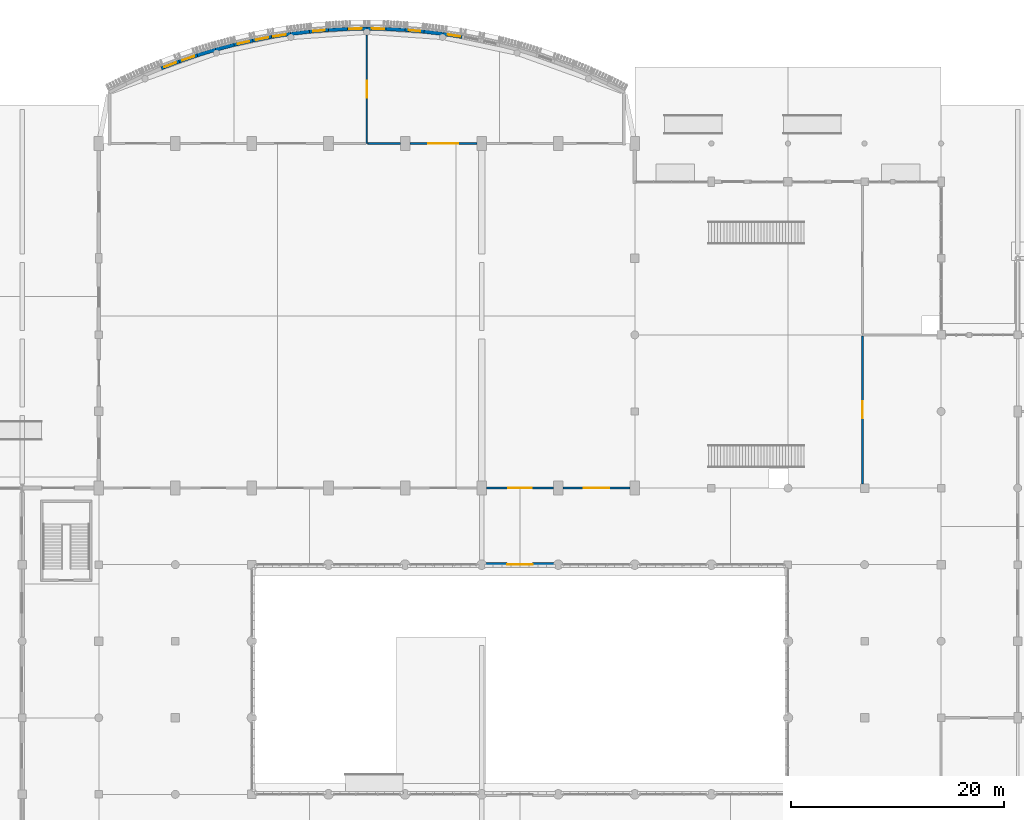
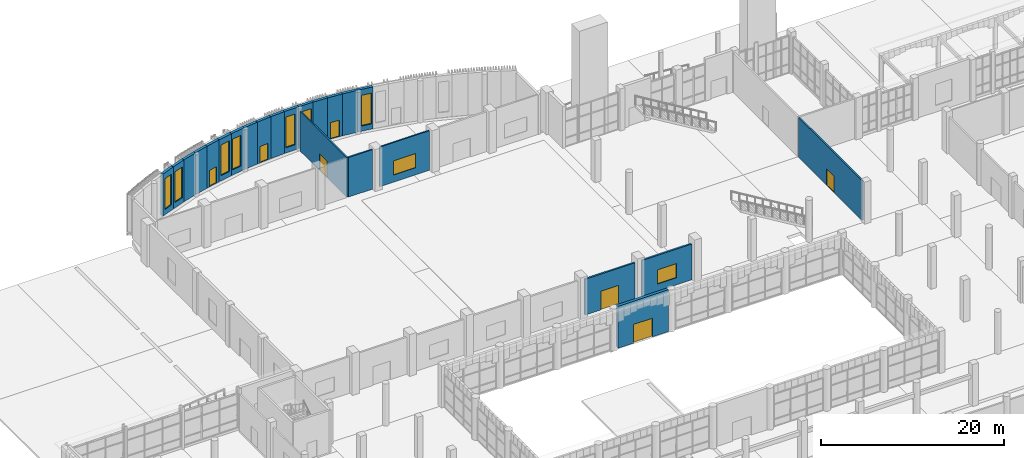
# One storey, part 61 of 85: 23 walls, 9 windows, 7 doors, 16 openings.
"""IFC4 building model written with IfcOpenShell, lengths in metres."""

from ifc_helpers import new_model, si_unit, direction, frame, frame_2d, origin, place, context, subcontext, project, spatial, polyline, rectangle, outline, extrude, material, layer, layer_set, type_object, element, fill, save


model = new_model("IFC4")

# Units and contexts
model_context = context("Model", 3, precision=1e-05, world=origin(), true_north=direction((0.0, 1.0)))
body_context = subcontext(model_context, "Body", "Model", "MODEL_VIEW")
ifc_project = project(units=[si_unit("LENGTHUNIT", "METRE"), si_unit("AREAUNIT", "SQUARE_METRE"), si_unit("VOLUMEUNIT", "CUBIC_METRE"), si_unit("PLANEANGLEUNIT", "RADIAN"), si_unit("MASSUNIT", "GRAM", prefix="KILO")], contexts=[model_context])

# Site, building, storey
site_placement = place(None, origin())
site = spatial("IfcSite", under=ifc_project, at=site_placement, CompositionType="ELEMENT")
building_placement = place(site_placement, origin())
building = spatial("IfcBuilding", under=site, at=building_placement, Name="Sardonyx Promenade Sports Hall", CompositionType="ELEMENT")
storey_placement = place(building_placement, origin())
storey = spatial("IfcBuildingStorey", under=building, at=storey_placement, Name="L00", CompositionType="ELEMENT", Elevation=0.0)

# Wall, opening, window
ifc_material_1 = material(Name="Concrete C40/50", Category="concrete")
ifc_layer_1 = layer(ifc_material_1, 0.340087890625)
ifc_layer_set_1 = layer_set([ifc_layer_1], Name="Wall_Bow_Arc_340")
wall_type_1 = type_object("IfcWallType", Name="Wall_Bow_Arc_340", PredefinedType="SOLIDWALL", material=ifc_layer_set_1)
wall_1_placement = place(storey_placement, frame((34.674072265625, 111.475341796875, 0.0), z_axis=(0.0, 0.0, 1.0), x_axis=(0.934674543416, 0.35550456803, 0.0)))
wall_1 = element("IfcWall", 1, at=wall_1_placement, inside=storey, type_object=wall_type_1, Name="Bowed promenade wall EW07 L00 CH04", PredefinedType="SOLIDWALL", context=body_context, shape_type="SweptSolid", body=[
    extrude(outline(polyline([(0.002943, -0.17), (1.797057, -0.17), (1.802943, 0.17), (-0.002943, 0.17), (0.002943, -0.17)])), origin(), (0.0, 0.0, 1.0), 5.60009765625),
])
opening_1_placement = place(wall_1_placement, frame((0.31005859375, 0.0, 0.699951171875)))
opening_1 = element("IfcOpeningElement", 2, at=opening_1_placement, cuts=wall_1, Name="Opening W09", PredefinedType="OPENING", context=body_context, shape_type="SweptSolid", body=[
    extrude(rectangle(XDim=1.179931640625, YDim=4.10009765625, at=frame_2d((0.58984375, 2.050048828125))), frame((0.0, 0.18, 0.0), z_axis=(0.0, -1.0, 0.0), x_axis=(1.0, 0.0, 0.0)), (0.0, 0.0, 1.0), 0.36),
])
ifc_material_2 = material(Name="Double-glazed solar low-E aluminium window", Category="aluminium")
window_type_1 = type_object("IfcWindowType", Name="Win_Bow_Daylight", PartitioningType="SINGLE_PANEL", PredefinedType="WINDOW", material=ifc_material_2)
window_1_placement = place(opening_1_placement, origin())
window_1 = element("IfcWindow", 3, at=window_1_placement, inside=storey, type_object=window_type_1, Name="Harbour daylight bay window W09 L00 CH04", OverallHeight=4.10009765625, OverallWidth=1.179931640625, PartitioningType="SINGLE_PANEL", PredefinedType="WINDOW", context=body_context, shape_type="SweptSolid", body=[
    extrude(rectangle(XDim=1.179931640625, YDim=4.10009765625, at=frame_2d((0.58984375, 2.050048828125))), frame((0.0, 0.030029296875, 0.0), z_axis=(0.0, -1.0, 0.0), x_axis=(1.0, 0.0, 0.0)), (0.0, 0.0, 1.0), 0.06005859375),
])
fill(opening_1, window_1)

wall_2_placement = place(storey_placement, frame((36.3564453125, 112.115234375, 0.0), z_axis=(0.0, 0.0, 1.0), x_axis=(0.946421657721, 0.322933500578, 0.0)))
wall_2 = element("IfcWall", 4, at=wall_2_placement, inside=storey, type_object=wall_type_1, Name="Bowed promenade wall EW07 L00 CH05", PredefinedType="SOLIDWALL", context=body_context, shape_type="SweptSolid", body=[
    extrude(outline(polyline([(0.002943, -0.17), (1.797057, -0.17), (1.802942, 0.17), (-0.002943, 0.17), (0.002943, -0.17)])), origin(), (0.0, 0.0, 1.0), 5.60009765625),
])
opening_2_placement = place(wall_2_placement, frame((0.31005859375, 0.0, 0.699951171875)))
opening_2 = element("IfcOpeningElement", 5, at=opening_2_placement, cuts=wall_2, Name="Opening W09", PredefinedType="OPENING", context=body_context, shape_type="SweptSolid", body=[
    extrude(rectangle(XDim=1.179931640625, YDim=4.10009765625, at=frame_2d((0.58984375, 2.050048828125))), frame((0.0, 0.18, 0.0), z_axis=(0.0, -1.0, 0.0), x_axis=(1.0, 0.0, 0.0)), (0.0, 0.0, 1.0), 0.36),
])
window_2_placement = place(opening_2_placement, origin())
window_2 = element("IfcWindow", 6, at=window_2_placement, inside=storey, type_object=window_type_1, Name="Harbour daylight bay window W09 L00 CH05", OverallHeight=4.10009765625, OverallWidth=1.179931640625, PartitioningType="SINGLE_PANEL", PredefinedType="WINDOW", context=body_context, shape_type="SweptSolid", body=[
    extrude(rectangle(XDim=1.179931640625, YDim=4.10009765625, at=frame_2d((0.58984375, 2.050048828125))), frame((0.0, 0.030029296875, 0.0), z_axis=(0.0, -1.0, 0.0), x_axis=(1.0, 0.0, 0.0)), (0.0, 0.0, 1.0), 0.06005859375),
])
fill(opening_2, window_2)

# Walls
wall_3_placement = place(storey_placement, frame((38.06005859375, 112.696533203125, 0.0), z_axis=(0.0, 0.0, 1.0), x_axis=(0.956993600338, 0.290109029354, 0.0)))
element("IfcWall", 7, at=wall_3_placement, inside=storey, type_object=wall_type_1, Name="Bowed promenade wall EW07 L00 CH06", PredefinedType="SOLIDWALL", context=body_context, shape_type="SweptSolid", body=[
    extrude(outline(polyline([(0.002943, -0.17), (1.797057, -0.17), (1.802942, 0.17), (-0.002943, 0.17), (0.002943, -0.17)])), origin(), (0.0, 0.0, 1.0), 5.60009765625),
])
wall_4_placement = place(storey_placement, frame((39.78271484375, 113.21875, 0.0), z_axis=(0.0, 0.0, 1.0), x_axis=(0.966504582235, 0.256649357135, 0.0)))
element("IfcWall", 8, at=wall_4_placement, inside=storey, type_object=wall_type_1, Name="Bowed promenade wall EW07 L00 CH07", PredefinedType="SOLIDWALL", context=body_context, shape_type="SweptSolid", body=[
    extrude(outline(polyline([(0.002943, -0.17), (1.797058, -0.17), (1.802943, 0.17), (-0.002943, 0.17), (0.002943, -0.17)])), origin(), (0.0, 0.0, 1.0), 5.60009765625),
])

# Wall, opening, door
wall_5_placement = place(storey_placement, frame((41.522216796875, 113.6806640625, 0.0), z_axis=(0.0, 0.0, 1.0), x_axis=(0.974791962114, 0.223115733641, 0.0)))
wall_5 = element("IfcWall", 9, at=wall_5_placement, inside=storey, type_object=wall_type_1, Name="Bowed promenade wall EW07 L00 CH08", PredefinedType="SOLIDWALL", context=body_context, shape_type="SweptSolid", body=[
    extrude(outline(polyline([(0.002943, -0.17), (1.797057, -0.17), (1.802943, 0.17), (-0.002943, 0.17), (0.002943, -0.17)])), origin(), (0.0, 0.0, 1.0), 5.60009765625),
])
opening_3_placement = place(wall_5_placement, frame((0.35009765625, 0.0, 0.0)))
opening_3 = element("IfcOpeningElement", 10, at=opening_3_placement, cuts=wall_5, Name="Opening ED11", PredefinedType="OPENING", context=body_context, shape_type="SweptSolid", body=[
    extrude(rectangle(XDim=1.10009765625, YDim=2.199951171875, at=frame_2d((0.550048828125, 1.10009765625))), frame((0.0, 0.18, 0.0), z_axis=(0.0, -1.0, 0.0), x_axis=(1.0, 0.0, 0.0)), (0.0, 0.0, 1.0), 0.36),
])
ifc_material_3 = material(Name="Thermally broken anodised aluminium glazed door", Category="aluminium")
door_type_1 = type_object("IfcDoorType", Name="Door_Ext_Single_110x220", OperationType="NOTDEFINED", PredefinedType="DOOR", material=ifc_material_3)
door_1_placement = place(opening_3_placement, origin())
door_1 = element("IfcDoor", 11, at=door_1_placement, inside=storey, type_object=door_type_1, Name="Harbour promenade exit door E01A", OperationType="SINGLE_SWING_LEFT", OverallHeight=2.199951171875, OverallWidth=1.10009765625, PredefinedType="DOOR", context=body_context, shape_type="SweptSolid", body=[
    extrude(rectangle(XDim=1.10009765625, YDim=2.199951171875, at=frame_2d((0.550048828125, 1.10009765625))), frame((0.0, 0.02490234375, 0.0), z_axis=(0.0, -1.0, 0.0), x_axis=(1.0, 0.0, 0.0)), (0.0, 0.0, 1.0), 0.050048828125),
])
fill(opening_3, door_1)

# Wall, opening, window
wall_6_placement = place(storey_placement, frame((43.27685546875, 114.082275390625, 0.0), z_axis=(0.0, 0.0, 1.0), x_axis=(0.981913462005, 0.189330275271, 0.0)))
wall_6 = element("IfcWall", 12, at=wall_6_placement, inside=storey, type_object=wall_type_1, Name="Bowed promenade wall EW07 L00 CH09", PredefinedType="SOLIDWALL", context=body_context, shape_type="SweptSolid", body=[
    extrude(outline(polyline([(0.002943, -0.17), (1.797057, -0.17), (1.802942, 0.17), (-0.002943, 0.17), (0.002943, -0.17)])), origin(), (0.0, 0.0, 1.0), 5.60009765625),
])
opening_4_placement = place(wall_6_placement, frame((0.31005859375, 0.0, 0.699951171875)))
opening_4 = element("IfcOpeningElement", 13, at=opening_4_placement, cuts=wall_6, Name="Opening W09", PredefinedType="OPENING", context=body_context, shape_type="SweptSolid", body=[
    extrude(rectangle(XDim=1.179931640625, YDim=4.10009765625, at=frame_2d((0.58984375, 2.050048828125))), frame((0.0, 0.18, 0.0), z_axis=(0.0, -1.0, 0.0), x_axis=(1.0, 0.0, 0.0)), (0.0, 0.0, 1.0), 0.36),
])
window_3_placement = place(opening_4_placement, origin())
window_3 = element("IfcWindow", 14, at=window_3_placement, inside=storey, type_object=window_type_1, Name="Harbour daylight bay window W09 L00 CH09", OverallHeight=4.10009765625, OverallWidth=1.179931640625, PartitioningType="SINGLE_PANEL", PredefinedType="WINDOW", context=body_context, shape_type="SweptSolid", body=[
    extrude(rectangle(XDim=1.179931640625, YDim=4.10009765625, at=frame_2d((0.58984375, 2.050048828125))), frame((0.0, 0.030029296875, 0.0), z_axis=(0.0, -1.0, 0.0), x_axis=(1.0, 0.0, 0.0)), (0.0, 0.0, 1.0), 0.06005859375),
])
fill(opening_4, window_3)

wall_7_placement = place(storey_placement, frame((45.04443359375, 114.423095703125, 0.0), z_axis=(0.0, 0.0, 1.0), x_axis=(0.987886929918, 0.155175428783, 0.0)))
wall_7 = element("IfcWall", 15, at=wall_7_placement, inside=storey, type_object=wall_type_1, Name="Bowed promenade wall EW07 L00 CH10", PredefinedType="SOLIDWALL", context=body_context, shape_type="SweptSolid", body=[
    extrude(outline(polyline([(0.002943, -0.17), (1.797058, -0.17), (1.802943, 0.17), (-0.002943, 0.17), (0.002943, -0.17)])), origin(), (0.0, 0.0, 1.0), 5.60009765625),
])
opening_5_placement = place(wall_7_placement, frame((0.159912109375, 0.0, 0.699951171875)))
opening_5 = element("IfcOpeningElement", 16, at=opening_5_placement, cuts=wall_7, Name="Opening W09", PredefinedType="OPENING", context=body_context, shape_type="SweptSolid", body=[
    extrude(rectangle(XDim=1.179931640625, YDim=4.10009765625, at=frame_2d((0.58984375, 2.050048828125))), frame((0.0, 0.18, 0.0), z_axis=(0.0, -1.0, 0.0), x_axis=(1.0, 0.0, 0.0)), (0.0, 0.0, 1.0), 0.36),
])
window_4_placement = place(opening_5_placement, origin())
window_4 = element("IfcWindow", 17, at=window_4_placement, inside=storey, type_object=window_type_1, Name="Harbour daylight bay window W09 L00 CH10", OverallHeight=4.10009765625, OverallWidth=1.179931640625, PartitioningType="SINGLE_PANEL", PredefinedType="WINDOW", context=body_context, shape_type="SweptSolid", body=[
    extrude(rectangle(XDim=1.179931640625, YDim=4.10009765625, at=frame_2d((0.58984375, 2.050048828125))), frame((0.0, 0.030029296875, 0.0), z_axis=(0.0, -1.0, 0.0), x_axis=(1.0, 0.0, 0.0)), (0.0, 0.0, 1.0), 0.06005859375),
])
fill(opening_5, window_4)

# Wall
wall_8_placement = place(storey_placement, frame((46.822509765625, 114.702392578125, 0.0), z_axis=(0.0, 0.0, 1.0), x_axis=(0.992671296073, 0.120845761006, 0.0)))
element("IfcWall", 18, at=wall_8_placement, inside=storey, type_object=wall_type_1, Name="Bowed promenade wall EW07 L00 CH11", PredefinedType="SOLIDWALL", context=body_context, shape_type="SweptSolid", body=[
    extrude(outline(polyline([(0.002943, -0.17), (1.797057, -0.17), (1.802942, 0.17), (-0.002943, 0.17), (0.002943, -0.17)])), origin(), (0.0, 0.0, 1.0), 5.60009765625),
])

# Wall, opening, door
wall_9_placement = place(storey_placement, frame((48.609375, 114.919921875, 0.0), z_axis=(0.0, 0.0, 1.0), x_axis=(0.996260411494, 0.086401345422, 0.0)))
wall_9 = element("IfcWall", 19, at=wall_9_placement, inside=storey, type_object=wall_type_1, Name="Bowed promenade wall EW07 L00 CH12", PredefinedType="SOLIDWALL", context=body_context, shape_type="SweptSolid", body=[
    extrude(outline(polyline([(0.002943, -0.17), (1.797058, -0.17), (1.802943, 0.17), (-0.002943, 0.17), (0.002943, -0.17)])), origin(), (0.0, 0.0, 1.0), 5.60009765625),
])
opening_6_placement = place(wall_9_placement, frame((0.35009765625, 0.0, 0.0)))
opening_6 = element("IfcOpeningElement", 20, at=opening_6_placement, cuts=wall_9, Name="Opening ED11", PredefinedType="OPENING", context=body_context, shape_type="SweptSolid", body=[
    extrude(rectangle(XDim=1.10009765625, YDim=2.199951171875, at=frame_2d((0.550048828125, 1.10009765625))), frame((0.0, 0.18, 0.0), z_axis=(0.0, -1.0, 0.0), x_axis=(1.0, 0.0, 0.0)), (0.0, 0.0, 1.0), 0.36),
])
door_2_placement = place(opening_6_placement, origin())
door_2 = element("IfcDoor", 21, at=door_2_placement, inside=storey, type_object=door_type_1, Name="Harbour promenade exit door E01B", OperationType="SINGLE_SWING_RIGHT", OverallHeight=2.199951171875, OverallWidth=1.10009765625, PredefinedType="DOOR", context=body_context, shape_type="SweptSolid", body=[
    extrude(rectangle(XDim=1.10009765625, YDim=2.199951171875, at=frame_2d((0.550048828125, 1.10009765625))), frame((0.0, 0.02490234375, 0.0), z_axis=(0.0, -1.0, 0.0), x_axis=(1.0, 0.0, 0.0)), (0.0, 0.0, 1.0), 0.050048828125),
])
fill(opening_6, door_2)

# Wall
wall_10_placement = place(storey_placement, frame((50.402587890625, 115.075439453125, 0.0), z_axis=(0.0, 0.0, 1.0), x_axis=(0.998649863362, 0.051946611119, 0.0)))
element("IfcWall", 22, at=wall_10_placement, inside=storey, type_object=wall_type_1, Name="Bowed promenade wall EW07 L00 CH13", PredefinedType="SOLIDWALL", context=body_context, shape_type="SweptSolid", body=[
    extrude(outline(polyline([(0.002943, -0.17), (1.797057, -0.17), (1.802943, 0.17), (-0.002943, 0.17), (0.002943, -0.17)])), origin(), (0.0, 0.0, 1.0), 5.60009765625),
])

# Wall, opening, window
wall_11_placement = place(storey_placement, frame((52.2001953125, 115.1689453125, 0.0), z_axis=(0.0, 0.0, 1.0), x_axis=(0.999851642284, 0.017224790907, 0.0)))
wall_11 = element("IfcWall", 23, at=wall_11_placement, inside=storey, type_object=wall_type_1, Name="Bowed promenade wall EW07 L00 CH14", PredefinedType="SOLIDWALL", context=body_context, shape_type="SweptSolid", body=[
    extrude(outline(polyline([(0.002943, -0.17), (1.797057, -0.17), (1.802942, 0.17), (-0.002943, 0.17), (0.002943, -0.17)])), origin(), (0.0, 0.0, 1.0), 5.60009765625),
])
opening_7_placement = place(wall_11_placement, frame((0.159912109375, 0.0, 0.699951171875)))
opening_7 = element("IfcOpeningElement", 24, at=opening_7_placement, cuts=wall_11, Name="Opening W09", PredefinedType="OPENING", context=body_context, shape_type="SweptSolid", body=[
    extrude(rectangle(XDim=1.179931640625, YDim=4.10009765625, at=frame_2d((0.58984375, 2.050048828125))), frame((0.0, 0.18, 0.0), z_axis=(0.0, -1.0, 0.0), x_axis=(1.0, 0.0, 0.0)), (0.0, 0.0, 1.0), 0.36),
])
window_5_placement = place(opening_7_placement, origin())
window_5 = element("IfcWindow", 25, at=window_5_placement, inside=storey, type_object=window_type_1, Name="Harbour daylight bay window W09 L00 CH14", OverallHeight=4.10009765625, OverallWidth=1.179931640625, PartitioningType="SINGLE_PANEL", PredefinedType="WINDOW", context=body_context, shape_type="SweptSolid", body=[
    extrude(rectangle(XDim=1.179931640625, YDim=4.10009765625, at=frame_2d((0.58984375, 2.050048828125))), frame((0.0, 0.030029296875, 0.0), z_axis=(0.0, -1.0, 0.0), x_axis=(1.0, 0.0, 0.0)), (0.0, 0.0, 1.0), 0.06005859375),
])
fill(opening_7, window_5)

wall_12_placement = place(storey_placement, frame((54.0, 115.199951171875, 0.0), z_axis=(0.0, 0.0, 1.0), x_axis=(0.999851642284, -0.017224790907, 0.0)))
wall_12 = element("IfcWall", 26, at=wall_12_placement, inside=storey, type_object=wall_type_1, Name="Bowed promenade wall EW07 L00 CH15", PredefinedType="SOLIDWALL", context=body_context, shape_type="SweptSolid", body=[
    extrude(outline(polyline([(0.002943, -0.17), (1.797057, -0.17), (1.802942, 0.17), (-0.002943, 0.17), (0.002943, -0.17)])), origin(), (0.0, 0.0, 1.0), 5.60009765625),
])
opening_8_placement = place(wall_12_placement, frame((0.4599609375, 0.0, 0.699951171875)))
opening_8 = element("IfcOpeningElement", 27, at=opening_8_placement, cuts=wall_12, Name="Opening W09", PredefinedType="OPENING", context=body_context, shape_type="SweptSolid", body=[
    extrude(rectangle(XDim=1.179931640625, YDim=4.10009765625, at=frame_2d((0.58984375, 2.050048828125))), frame((0.0, 0.18, 0.0), z_axis=(0.0, -1.0, 0.0), x_axis=(1.0, 0.0, 0.0)), (0.0, 0.0, 1.0), 0.36),
])
window_6_placement = place(opening_8_placement, origin())
window_6 = element("IfcWindow", 28, at=window_6_placement, inside=storey, type_object=window_type_1, Name="Harbour daylight bay window W09 L00 CH15", OverallHeight=4.10009765625, OverallWidth=1.179931640625, PartitioningType="SINGLE_PANEL", PredefinedType="WINDOW", context=body_context, shape_type="SweptSolid", body=[
    extrude(rectangle(XDim=1.179931640625, YDim=4.10009765625, at=frame_2d((0.58984375, 2.050048828125))), frame((0.0, 0.030029296875, 0.0), z_axis=(0.0, -1.0, 0.0), x_axis=(1.0, 0.0, 0.0)), (0.0, 0.0, 1.0), 0.06005859375),
])
fill(opening_8, window_6)

# Wall
wall_13_placement = place(storey_placement, frame((55.7998046875, 115.1689453125, 0.0), z_axis=(0.0, 0.0, 1.0), x_axis=(0.998649863362, -0.051946611119, 0.0)))
element("IfcWall", 29, at=wall_13_placement, inside=storey, type_object=wall_type_1, Name="Bowed promenade wall EW07 L00 CH16", PredefinedType="SOLIDWALL", context=body_context, shape_type="SweptSolid", body=[
    extrude(outline(polyline([(0.002943, -0.17), (1.797057, -0.17), (1.802943, 0.17), (-0.002943, 0.17), (0.002943, -0.17)])), origin(), (0.0, 0.0, 1.0), 5.60009765625),
])

# Wall, opening, door
wall_14_placement = place(storey_placement, frame((57.597412109375, 115.075439453125, 0.0), z_axis=(0.0, 0.0, 1.0), x_axis=(0.996260411494, -0.086401345422, 0.0)))
wall_14 = element("IfcWall", 30, at=wall_14_placement, inside=storey, type_object=wall_type_1, Name="Bowed promenade wall EW07 L00 CH17", PredefinedType="SOLIDWALL", context=body_context, shape_type="SweptSolid", body=[
    extrude(outline(polyline([(0.002943, -0.17), (1.797058, -0.17), (1.802943, 0.17), (-0.002943, 0.17), (0.002943, -0.17)])), origin(), (0.0, 0.0, 1.0), 5.60009765625),
])
opening_9_placement = place(wall_14_placement, frame((0.35009765625, 0.0, 0.0)))
opening_9 = element("IfcOpeningElement", 31, at=opening_9_placement, cuts=wall_14, Name="Opening ED11", PredefinedType="OPENING", context=body_context, shape_type="SweptSolid", body=[
    extrude(rectangle(XDim=1.10009765625, YDim=2.199951171875, at=frame_2d((0.550048828125, 1.10009765625))), frame((0.0, 0.18, 0.0), z_axis=(0.0, -1.0, 0.0), x_axis=(1.0, 0.0, 0.0)), (0.0, 0.0, 1.0), 0.36),
])
door_3_placement = place(opening_9_placement, origin())
door_3 = element("IfcDoor", 32, at=door_3_placement, inside=storey, type_object=door_type_1, Name="Harbour promenade exit door E02A", OperationType="SINGLE_SWING_LEFT", OverallHeight=2.199951171875, OverallWidth=1.10009765625, PredefinedType="DOOR", context=body_context, shape_type="SweptSolid", body=[
    extrude(rectangle(XDim=1.10009765625, YDim=2.199951171875, at=frame_2d((0.550048828125, 1.10009765625))), frame((0.0, 0.02490234375, 0.0), z_axis=(0.0, -1.0, 0.0), x_axis=(1.0, 0.0, 0.0)), (0.0, 0.0, 1.0), 0.050048828125),
])
fill(opening_9, door_3)

# Wall
wall_15_placement = place(storey_placement, frame((59.390625, 114.919921875, 0.0), z_axis=(0.0, 0.0, 1.0), x_axis=(0.992671296073, -0.120845761006, 0.0)))
element("IfcWall", 33, at=wall_15_placement, inside=storey, type_object=wall_type_1, Name="Bowed promenade wall EW07 L00 CH18", PredefinedType="SOLIDWALL", context=body_context, shape_type="SweptSolid", body=[
    extrude(outline(polyline([(0.002943, -0.17), (1.797057, -0.17), (1.802942, 0.17), (-0.002943, 0.17), (0.002943, -0.17)])), origin(), (0.0, 0.0, 1.0), 5.60009765625),
])

# Wall, opening, window
wall_16_placement = place(storey_placement, frame((61.177490234375, 114.702392578125, 0.0), z_axis=(0.0, 0.0, 1.0), x_axis=(0.987886929918, -0.155175428783, 0.0)))
wall_16 = element("IfcWall", 34, at=wall_16_placement, inside=storey, type_object=wall_type_1, Name="Bowed promenade wall EW07 L00 CH19", PredefinedType="SOLIDWALL", context=body_context, shape_type="SweptSolid", body=[
    extrude(outline(polyline([(0.002943, -0.17), (1.797058, -0.17), (1.802943, 0.17), (-0.002943, 0.17), (0.002943, -0.17)])), origin(), (0.0, 0.0, 1.0), 5.60009765625),
])
opening_10_placement = place(wall_16_placement, frame((0.4599609375, 0.0, 0.699951171875)))
opening_10 = element("IfcOpeningElement", 35, at=opening_10_placement, cuts=wall_16, Name="Opening W09", PredefinedType="OPENING", context=body_context, shape_type="SweptSolid", body=[
    extrude(rectangle(XDim=1.179931640625, YDim=4.10009765625, at=frame_2d((0.58984375, 2.050048828125))), frame((0.0, 0.18, 0.0), z_axis=(0.0, -1.0, 0.0), x_axis=(1.0, 0.0, 0.0)), (0.0, 0.0, 1.0), 0.36),
])
window_7_placement = place(opening_10_placement, origin())
window_7 = element("IfcWindow", 36, at=window_7_placement, inside=storey, type_object=window_type_1, Name="Harbour daylight bay window W09 L00 CH19", OverallHeight=4.10009765625, OverallWidth=1.179931640625, PartitioningType="SINGLE_PANEL", PredefinedType="WINDOW", context=body_context, shape_type="SweptSolid", body=[
    extrude(rectangle(XDim=1.179931640625, YDim=4.10009765625, at=frame_2d((0.58984375, 2.050048828125))), frame((0.0, 0.030029296875, 0.0), z_axis=(0.0, -1.0, 0.0), x_axis=(1.0, 0.0, 0.0)), (0.0, 0.0, 1.0), 0.06005859375),
])
fill(opening_10, window_7)

# Wall, opening, door
ifc_material_4 = material(Name="Concrete C40/50", Category="concrete")
ifc_layer_2 = layer(ifc_material_4, 0.360107421875)
ifc_layer_set_2 = layer_set([ifc_layer_2], Name="Wall_Ext_Sandstone_360")
wall_type_2 = type_object("IfcWallType", Name="Wall_Ext_Sandstone_360", PredefinedType="SOLIDWALL", material=ifc_layer_set_2)
wall_17_placement = place(storey_placement, frame((71.59521484375, 64.800048828125, 0.0), z_axis=(0.0, 0.0, 1.0), x_axis=(-1.0, 0.0, 0.0)))
wall_17 = element("IfcWall", 37, at=wall_17_placement, inside=storey, type_object=wall_type_2, Name="Exterior wall EW06 L00 #205", PredefinedType="SOLIDWALL", context=body_context, shape_type="SweptSolid", body=[
    extrude(rectangle(XDim=6.390380859375, YDim=0.360107421875, at=frame_2d((3.1953125, 0.0))), origin(), (0.0, 0.0, 1.0), 5.60009765625),
])
opening_11_placement = place(wall_17_placement, frame((1.9951171875, 0.0, 0.0)))
opening_11 = element("IfcOpeningElement", 38, at=opening_11_placement, cuts=wall_17, Name="Opening ED06", PredefinedType="OPENING", context=body_context, shape_type="SweptSolid", body=[
    extrude(rectangle(XDim=2.39990234375, YDim=2.5, at=frame_2d((1.199951171875, 1.25))), frame((0.0, 0.19, 0.0), z_axis=(0.0, -1.0, 0.0), x_axis=(1.0, 0.0, 0.0)), (0.0, 0.0, 1.0), 0.38),
])
ifc_material_5 = material(Name="Thermally broken anodised aluminium glazed door", Category="aluminium")
door_type_2 = type_object("IfcDoorType", Name="Door_Ext_Promenade_240x250", OperationType="NOTDEFINED", PredefinedType="DOOR", material=ifc_material_5)
door_4_placement = place(opening_11_placement, origin())
door_4 = element("IfcDoor", 39, at=door_4_placement, inside=storey, type_object=door_type_2, Name="Exterior exit door CD02", OperationType="DOUBLE_DOOR_SINGLE_SWING", OverallHeight=2.5, OverallWidth=2.39990234375, PredefinedType="DOOR", context=body_context, shape_type="SweptSolid", body=[
    extrude(rectangle(XDim=2.39990234375, YDim=2.5, at=frame_2d((1.199951171875, 1.25))), frame((0.0, 0.02490234375, 0.0), z_axis=(0.0, -1.0, 0.0), x_axis=(1.0, 0.0, 0.0)), (0.0, 0.0, 1.0), 0.050048828125),
])
fill(opening_11, door_4)

ifc_material_6 = material(Name="Twin-stud acoustic gypsum partition", Category="gypsum")
ifc_layer_3 = layer(ifc_material_6, 0.169921875)
ifc_layer_set_3 = layer_set([ifc_layer_3], Name="Wall_Part_Acoust_170")
wall_type_3 = type_object("IfcWallType", Name="Wall_Part_Acoust_170", PredefinedType="PARTITIONING", material=ifc_layer_set_3)
wall_18_placement = place(storey_placement, frame((54.0, 104.39990234375, 0.0), z_axis=(0.0, 0.0, 1.0), x_axis=(0.0, 1.0, 0.0)))
wall_18 = element("IfcWall", 40, at=wall_18_placement, inside=storey, type_object=wall_type_3, Name="Interior partition PW06 L00 #368", PredefinedType="PARTITIONING", context=body_context, shape_type="SweptSolid", body=[
    extrude(rectangle(XDim=10.18017578125, YDim=0.169921875, at=frame_2d((5.090087890625, 0.0))), origin(), (0.0, 0.0, 1.0), 5.2900390625),
])
opening_12_placement = place(wall_18_placement, frame((4.2900390625, 0.0, 0.0)))
opening_12 = element("IfcOpeningElement", 41, at=opening_12_placement, cuts=wall_18, Name="Opening ID09", PredefinedType="OPENING", context=body_context, shape_type="SweptSolid", body=[
    extrude(rectangle(XDim=1.60009765625, YDim=2.199951171875, at=frame_2d((0.800048828125, 1.10009765625))), frame((0.0, 0.095, 0.0), z_axis=(0.0, -1.0, 0.0), x_axis=(1.0, 0.0, 0.0)), (0.0, 0.0, 1.0), 0.19),
])
ifc_material_7 = material(Name="Double hardwood vision-panel fire door FD60S", Category="wood")
door_type_3 = type_object("IfcDoorType", Name="Door_Lobby_FD60_160x220", OperationType="NOTDEFINED", PredefinedType="DOOR", material=ifc_material_7)
door_5_placement = place(opening_12_placement, origin())
door_5 = element("IfcDoor", 42, at=door_5_placement, inside=storey, type_object=door_type_3, Name="Interior door D00-120", OperationType="DOUBLE_DOOR_SINGLE_SWING", OverallHeight=2.199951171875, OverallWidth=1.60009765625, PredefinedType="DOOR", context=body_context, shape_type="SweptSolid", body=[
    extrude(rectangle(XDim=1.60009765625, YDim=2.199951171875, at=frame_2d((0.800048828125, 1.10009765625))), frame((0.0, 0.02490234375, 0.0), z_axis=(0.0, -1.0, 0.0), x_axis=(1.0, 0.0, 0.0)), (0.0, 0.0, 1.0), 0.050048828125),
])
fill(opening_12, door_5)

# Wall
wall_19_placement = place(storey_placement, frame((54.094970703125, 104.39990234375, 0.0), z_axis=(0.0, 0.0, 1.0), x_axis=(1.0, 0.0, 0.0)))
element("IfcWall", 43, at=wall_19_placement, inside=storey, type_object=wall_type_3, Name="Interior partition PW06 L00 #373", PredefinedType="PARTITIONING", context=body_context, shape_type="SweptSolid", body=[
    extrude(rectangle(XDim=3.054931640625, YDim=0.169921875, at=frame_2d((1.52734375, 0.0))), origin(), (0.0, 0.0, 1.0), 5.2900390625),
])

# Wall, opening, window
wall_20_placement = place(storey_placement, frame((58.050048828125, 104.39990234375, 0.0), z_axis=(0.0, 0.0, 1.0), x_axis=(1.0, 0.0, 0.0)))
wall_20 = element("IfcWall", 44, at=wall_20_placement, inside=storey, type_object=wall_type_3, Name="Interior partition PW06 L00 #374", PredefinedType="PARTITIONING", context=body_context, shape_type="SweptSolid", body=[
    extrude(rectangle(XDim=6.300048828125, YDim=0.169921875, at=frame_2d((3.14990234375, 0.0))), origin(), (0.0, 0.0, 1.0), 5.2900390625),
])
opening_13_placement = place(wall_20_placement, frame((1.75, 0.0, 0.949951171875)))
opening_13 = element("IfcOpeningElement", 45, at=opening_13_placement, cuts=wall_20, Name="Opening IW06", PredefinedType="OPENING", context=body_context, shape_type="SweptSolid", body=[
    extrude(rectangle(XDim=2.800048828125, YDim=1.89990234375, at=frame_2d((1.39990234375, 0.949951171875))), frame((0.0, 0.095, 0.0), z_axis=(0.0, -1.0, 0.0), x_axis=(1.0, 0.0, 0.0)), (0.0, 0.0, 1.0), 0.19),
])
ifc_material_8 = material(Name="Acoustic laminated sports viewing glazing EI 60", Category="glass")
window_type_2 = type_object("IfcWindowType", Name="IWin_Arena_280x190", PartitioningType="DOUBLE_PANEL_VERTICAL", PredefinedType="WINDOW", material=ifc_material_8)
window_8_placement = place(opening_13_placement, origin())
window_8 = element("IfcWindow", 46, at=window_8_placement, inside=storey, type_object=window_type_2, Name="Internal viewing window IW06 L00 #12", OverallHeight=1.89990234375, OverallWidth=2.800048828125, PartitioningType="SINGLE_PANEL", PredefinedType="WINDOW", context=body_context, shape_type="SweptSolid", body=[
    extrude(rectangle(XDim=2.800048828125, YDim=1.89990234375, at=frame_2d((1.39990234375, 0.949951171875))), frame((0.0, 0.030029296875, 0.0), z_axis=(0.0, -1.0, 0.0), x_axis=(1.0, 0.0, 0.0)), (0.0, 0.0, 1.0), 0.06005859375),
])
fill(opening_13, window_8)

# Wall, opening, door
ifc_material_9 = material(Name="Masonry CMU 15 MPa", Category="masonry")
ifc_layer_4 = layer(ifc_material_9, 0.18994140625)
ifc_layer_set_4 = layer_set([ifc_layer_4], Name="Wall_Part_Block_190")
wall_type_4 = type_object("IfcWallType", Name="Wall_Part_Block_190", PredefinedType="PARTITIONING", material=ifc_layer_set_4)
wall_21_placement = place(storey_placement, frame((100.60009765625, 72.39990234375, 0.0), z_axis=(0.0, 0.0, 1.0), x_axis=(0.0, 1.0, 0.0)))
wall_21 = element("IfcWall", 47, at=wall_21_placement, inside=storey, type_object=wall_type_4, Name="Interior partition PW03 L00 #362", PredefinedType="PARTITIONING", context=body_context, shape_type="SweptSolid", body=[
    extrude(rectangle(XDim=13.885009765625, YDim=0.18994140625, at=frame_2d((6.9423828125, 0.0))), origin(), (0.0, 0.0, 1.0), 5.320068359375),
])
opening_14_placement = place(wall_21_placement, frame((6.142578125, 0.0, 0.0)))
opening_14 = element("IfcOpeningElement", 48, at=opening_14_placement, cuts=wall_21, Name="Opening ID09", PredefinedType="OPENING", context=body_context, shape_type="SweptSolid", body=[
    extrude(rectangle(XDim=1.60009765625, YDim=2.199951171875, at=frame_2d((0.800048828125, 1.10009765625))), frame((0.0, 0.105, 0.0), z_axis=(0.0, -1.0, 0.0), x_axis=(1.0, 0.0, 0.0)), (0.0, 0.0, 1.0), 0.21),
])
door_6_placement = place(opening_14_placement, origin())
door_6 = element("IfcDoor", 49, at=door_6_placement, inside=storey, type_object=door_type_3, Name="Interior door D00-117", OperationType="DOUBLE_DOOR_SINGLE_SWING", OverallHeight=2.199951171875, OverallWidth=1.60009765625, PredefinedType="DOOR", context=body_context, shape_type="SweptSolid", body=[
    extrude(rectangle(XDim=1.60009765625, YDim=2.199951171875, at=frame_2d((0.800048828125, 1.10009765625))), frame((0.0, 0.02490234375, 0.0), z_axis=(0.0, -1.0, 0.0), x_axis=(1.0, 0.0, 0.0)), (0.0, 0.0, 1.0), 0.050048828125),
])
fill(opening_14, door_6)

ifc_material_10 = material(Name="Masonry CMU 15 MPa", Category="masonry")
ifc_layer_5 = layer(ifc_material_10, 0.2099609375)
ifc_layer_set_5 = layer_set([ifc_layer_5], Name="Wall_Part_Block_210")
wall_type_5 = type_object("IfcWallType", Name="Wall_Part_Block_210", PredefinedType="PARTITIONING", material=ifc_layer_set_5)
wall_22_placement = place(storey_placement, frame((65.25, 72.0, 0.0), z_axis=(0.0, 0.0, 1.0), x_axis=(1.0, 0.0, 0.0)))
wall_22 = element("IfcWall", 50, at=wall_22_placement, inside=storey, type_object=wall_type_5, Name="Interior partition PW07 L00 #382", PredefinedType="PARTITIONING", context=body_context, shape_type="SweptSolid", body=[
    extrude(rectangle(XDim=6.300048828125, YDim=0.2099609375, at=frame_2d((3.14990234375, 0.0))), origin(), (0.0, 0.0, 1.0), 4.780029296875),
])
opening_15_placement = place(wall_22_placement, frame((2.050048828125, 0.0, 0.0)))
opening_15 = element("IfcOpeningElement", 51, at=opening_15_placement, cuts=wall_22, Name="Opening ID04", PredefinedType="OPENING", context=body_context, shape_type="SweptSolid", body=[
    extrude(rectangle(XDim=2.199951171875, YDim=2.5, at=frame_2d((1.10009765625, 1.25))), frame((0.0, 0.115, 0.0), z_axis=(0.0, -1.0, 0.0), x_axis=(1.0, 0.0, 0.0)), (0.0, 0.0, 1.0), 0.23),
])
ifc_material_11 = material(Name="Double acoustic sports hall fire door FD60S", Category="wood")
door_type_4 = type_object("IfcDoorType", Name="Door_Hall_FD60_220x250", OperationType="NOTDEFINED", PredefinedType="DOOR", material=ifc_material_11)
door_7_placement = place(opening_15_placement, origin())
door_7 = element("IfcDoor", 52, at=door_7_placement, inside=storey, type_object=door_type_4, Name="Interior door D00-124", OperationType="DOUBLE_DOOR_SINGLE_SWING", OverallHeight=2.5, OverallWidth=2.199951171875, PredefinedType="DOOR", context=body_context, shape_type="SweptSolid", body=[
    extrude(rectangle(XDim=2.199951171875, YDim=2.5, at=frame_2d((1.10009765625, 1.25))), frame((0.0, 0.02490234375, 0.0), z_axis=(0.0, -1.0, 0.0), x_axis=(1.0, 0.0, 0.0)), (0.0, 0.0, 1.0), 0.050048828125),
])
fill(opening_15, door_7)

# Wall, opening, window
wall_23_placement = place(storey_placement, frame((72.449951171875, 72.0, 0.0), z_axis=(0.0, 0.0, 1.0), x_axis=(1.0, 0.0, 0.0)))
wall_23 = element("IfcWall", 53, at=wall_23_placement, inside=storey, type_object=wall_type_5, Name="Interior partition PW07 L00 #383", PredefinedType="PARTITIONING", context=body_context, shape_type="SweptSolid", body=[
    extrude(rectangle(XDim=6.300048828125, YDim=0.2099609375, at=frame_2d((3.14990234375, 0.0))), origin(), (0.0, 0.0, 1.0), 4.780029296875),
])
opening_16_placement = place(wall_23_placement, frame((1.949951171875, 0.0, 0.949951171875)))
opening_16 = element("IfcOpeningElement", 54, at=opening_16_placement, cuts=wall_23, Name="Opening IW03", PredefinedType="OPENING", context=body_context, shape_type="SweptSolid", body=[
    extrude(rectangle(XDim=2.39990234375, YDim=1.89990234375, at=frame_2d((1.199951171875, 0.949951171875))), frame((0.0, 0.115, 0.0), z_axis=(0.0, -1.0, 0.0), x_axis=(1.0, 0.0, 0.0)), (0.0, 0.0, 1.0), 0.23),
])
ifc_material_12 = material(Name="Acoustic laminated sports viewing glazing EI 60", Category="glass")
window_type_3 = type_object("IfcWindowType", Name="IWin_Arena_240x190", PartitioningType="DOUBLE_PANEL_VERTICAL", PredefinedType="WINDOW", material=ifc_material_12)
window_9_placement = place(opening_16_placement, origin())
window_9 = element("IfcWindow", 55, at=window_9_placement, inside=storey, type_object=window_type_3, Name="Internal viewing window IW03 L00 #18", OverallHeight=1.89990234375, OverallWidth=2.39990234375, PartitioningType="SINGLE_PANEL", PredefinedType="WINDOW", context=body_context, shape_type="SweptSolid", body=[
    extrude(rectangle(XDim=2.39990234375, YDim=1.89990234375, at=frame_2d((1.199951171875, 0.949951171875))), frame((0.0, 0.030029296875, 0.0), z_axis=(0.0, -1.0, 0.0), x_axis=(1.0, 0.0, 0.0)), (0.0, 0.0, 1.0), 0.06005859375),
])
fill(opening_16, window_9)

save(model, "model.ifc")
